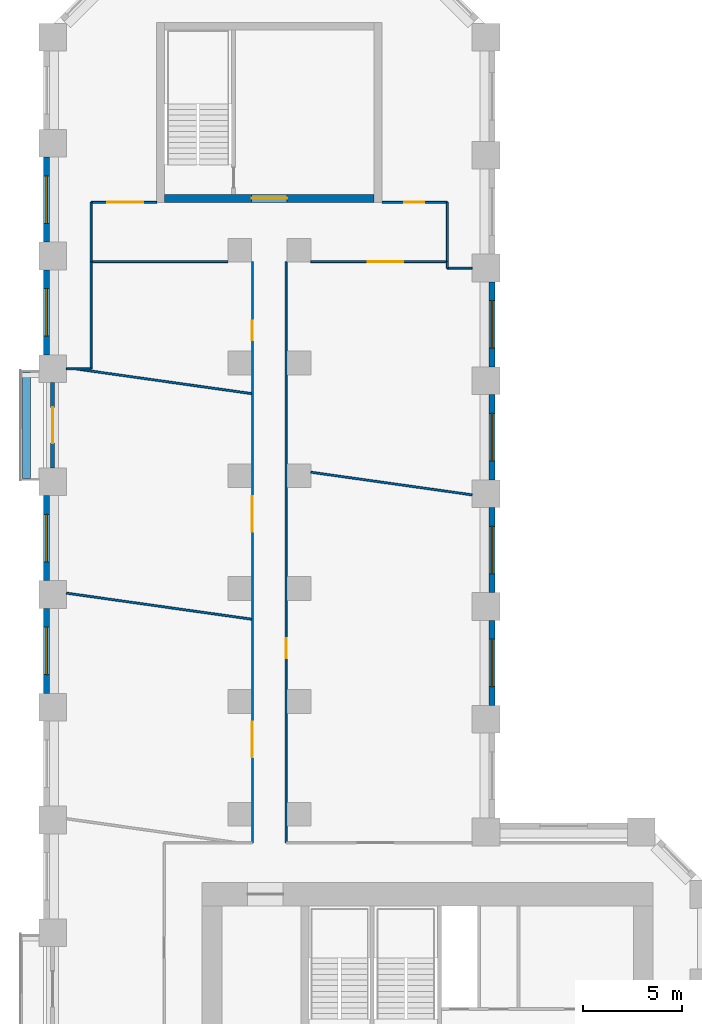
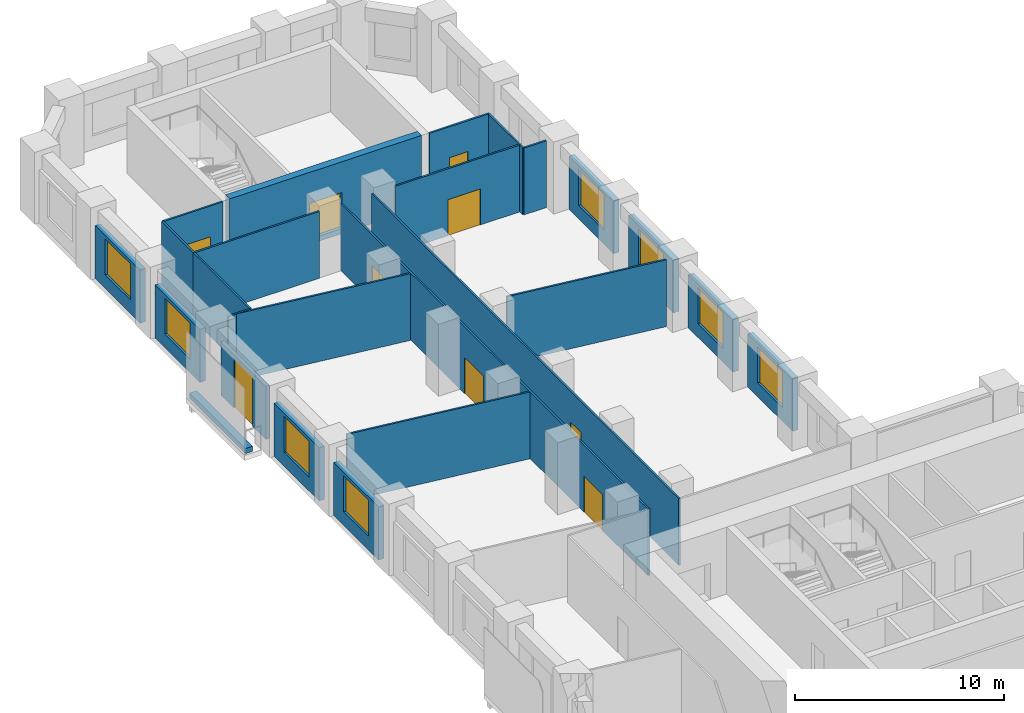
# One storey, part 8 of 11: 26 walls, 9 doors, 8 windows, 17 openings.
"""IFC4 building model written with IfcOpenShell, lengths in metres."""

from ifc_helpers import new_model, si_unit, direction, frame, frame_2d, origin, place, context, subcontext, project, spatial, rectangle, extrude, material, layer, layer_set, type_object, element, fill, save


model = new_model("IFC4")

# Units and contexts
model_context = context("Model", 3, precision=1e-05, world=origin(), true_north=direction((0.0, 1.0)))
body_context = subcontext(model_context, "Body", "Model", "MODEL_VIEW")
ifc_project = project(units=[si_unit("LENGTHUNIT", "METRE"), si_unit("AREAUNIT", "SQUARE_METRE"), si_unit("VOLUMEUNIT", "CUBIC_METRE"), si_unit("PLANEANGLEUNIT", "RADIAN"), si_unit("MASSUNIT", "GRAM", prefix="KILO")], contexts=[model_context])

# Site, building, storey
site_placement = place(None, origin())
site = spatial("IfcSite", under=ifc_project, at=site_placement, CompositionType="ELEMENT")
building_placement = place(site_placement, origin())
building = spatial("IfcBuilding", under=site, at=building_placement, Name="Meshkara Civic Tower", CompositionType="ELEMENT")
storey_placement = place(building_placement, frame((0.0, 0.0, 70.800048828125)))
storey = spatial("IfcBuildingStorey", under=building, at=storey_placement, Name="L15", CompositionType="ELEMENT", Elevation=70.800048828125)

# Walls
ifc_material_1 = material(Name="Corridor wall 100")
ifc_layer_1 = layer(ifc_material_1, 0.10009765625)
ifc_layer_set_1 = layer_set([ifc_layer_1], Name="Corridor wall 100")
wall_type_1 = type_object("IfcWallType", Name="Corridor wall 100", PredefinedType="PARTITIONING", material=ifc_layer_set_1)
wall_1_placement = place(storey_placement, frame((2.39990234375, 68.27001953125, 0.0), z_axis=(0.0, 0.0, 1.0), x_axis=(1.0, 0.0, 0.0)))
element("IfcWall", 1, at=wall_1_placement, inside=storey, type_object=wall_type_1, Name="L15-W001", PredefinedType="PARTITIONING", context=body_context, shape_type="SweptSolid", body=[
    extrude(rectangle(XDim=6.900146484375, YDim=0.10009765625, at=frame_2d((3.4501953125, 0.0))), origin(), (0.0, 0.0, 1.0), 3.89990234375),
])
wall_2_placement = place(storey_placement, frame((2.39990234375, 71.27001953125, 0.0), z_axis=(0.0, 0.0, 1.0), x_axis=(0.0, -1.0, 0.0)))
element("IfcWall", 2, at=wall_2_placement, inside=storey, type_object=wall_type_1, Name="L15-W002", PredefinedType="PARTITIONING", context=body_context, shape_type="SweptSolid", body=[
    extrude(rectangle(XDim=3.0, YDim=0.10009765625, at=frame_2d((1.5, 0.0))), origin(), (0.0, 0.0, 1.0), 3.89990234375),
])

# Wall, opening, door
wall_3_placement = place(storey_placement, frame((5.699951171875, 71.27001953125, 0.0), z_axis=(0.0, 0.0, 1.0), x_axis=(-1.0, 0.0, 0.0)))
wall_3 = element("IfcWall", 3, at=wall_3_placement, inside=storey, type_object=wall_type_1, Name="L15-W003", PredefinedType="PARTITIONING", context=body_context, shape_type="SweptSolid", body=[
    extrude(rectangle(XDim=3.300048828125, YDim=0.10009765625, at=frame_2d((1.64990234375, 0.0))), origin(), (0.0, 0.0, 1.0), 3.89990234375),
])
opening_1_placement = place(wall_3_placement, frame((0.679931640625, 0.0, 0.0)))
opening_1 = element("IfcOpeningElement", 4, at=opening_1_placement, cuts=wall_3, Name="Opening L15-D025", PredefinedType="OPENING", context=body_context, shape_type="SweptSolid", body=[
    extrude(rectangle(XDim=1.800048828125, YDim=2.10009765625, at=frame_2d((0.89990234375, 1.050048828125))), frame((0.0, 0.06005859375, 0.0), z_axis=(0.0, -1.0, 0.0), x_axis=(1.0, 0.0, 0.0)), (0.0, 0.0, 1.0), 0.1201171875),
])
ifc_material_2 = material(Name="Door pair 1800 x 2100")
door_type_1 = type_object("IfcDoorType", Name="Door pair 1800 x 2100", OperationType="SINGLE_SWING_LEFT", PredefinedType="DOOR", material=ifc_material_2)
door_1_placement = place(opening_1_placement, origin())
door_1 = element("IfcDoor", 5, at=door_1_placement, inside=storey, type_object=door_type_1, Name="L15-D025", OperationType="DOUBLE_DOOR_SINGLE_SWING", OverallHeight=2.10009765625, OverallWidth=1.800048828125, PredefinedType="DOOR", context=body_context, shape_type="SweptSolid", body=[
    extrude(rectangle(XDim=1.800048828125, YDim=2.10009765625, at=frame_2d((0.89990234375, 1.050048828125))), frame((0.0, 0.02490234375, 0.0), z_axis=(0.0, -1.0, 0.0), x_axis=(1.0, 0.0, 0.0)), (0.0, 0.0, 1.0), 0.050048828125),
])
fill(opening_1, door_1)

# Wall, openings, doors
wall_4_placement = place(storey_placement, frame((10.550048828125, 68.27001953125, 0.0), z_axis=(0.0, 0.0, 1.0), x_axis=(0.0, -1.0, 0.0)))
wall_4 = element("IfcWall", 6, at=wall_4_placement, inside=storey, type_object=wall_type_1, Name="L15-W012", PredefinedType="PARTITIONING", context=body_context, shape_type="SweptSolid", body=[
    extrude(rectangle(XDim=29.3701171875, YDim=0.10009765625, at=frame_2d((14.68505859375, 0.0))), origin(), (0.0, 0.0, 1.0), 3.89990234375),
])
opening_2_placement = place(wall_4_placement, frame((23.2451171875, 0.0, 0.0)))
opening_2 = element("IfcOpeningElement", 7, at=opening_2_placement, cuts=wall_4, Name="Opening L15-D021", PredefinedType="OPENING", context=body_context, shape_type="SweptSolid", body=[
    extrude(rectangle(XDim=1.800048828125, YDim=2.10009765625, at=frame_2d((0.89990234375, 1.050048828125))), frame((0.0, 0.06005859375, 0.0), z_axis=(0.0, -1.0, 0.0), x_axis=(1.0, 0.0, 0.0)), (0.0, 0.0, 1.0), 0.1201171875),
])
opening_3_placement = place(wall_4_placement, frame((11.844970703125, 0.0, 0.0)))
opening_3 = element("IfcOpeningElement", 8, at=opening_3_placement, cuts=wall_4, Name="Opening L15-D023", PredefinedType="OPENING", context=body_context, shape_type="SweptSolid", body=[
    extrude(rectangle(XDim=1.800048828125, YDim=2.10009765625, at=frame_2d((0.89990234375, 1.050048828125))), frame((0.0, 0.06005859375, 0.0), z_axis=(0.0, -1.0, 0.0), x_axis=(1.0, 0.0, 0.0)), (0.0, 0.0, 1.0), 0.1201171875),
])
opening_4_placement = place(wall_4_placement, frame((2.97998046875, 0.0, 0.0)))
opening_4 = element("IfcOpeningElement", 9, at=opening_4_placement, cuts=wall_4, Name="Opening L15-D024", PredefinedType="OPENING", context=body_context, shape_type="SweptSolid", body=[
    extrude(rectangle(XDim=1.0, YDim=2.10009765625, at=frame_2d((0.5, 1.050048828125))), frame((0.0, 0.06005859375, 0.0), z_axis=(0.0, -1.0, 0.0), x_axis=(1.0, 0.0, 0.0)), (0.0, 0.0, 1.0), 0.1201171875),
])
ifc_material_3 = material(Name="Door 1000 x 2100")
door_type_2 = type_object("IfcDoorType", Name="Door 1000 x 2100", OperationType="SINGLE_SWING_LEFT", PredefinedType="DOOR", material=ifc_material_3)
door_2_placement = place(opening_4_placement, origin())
door_2 = element("IfcDoor", 10, at=door_2_placement, inside=storey, type_object=door_type_2, Name="L15-D024", OperationType="SINGLE_SWING_LEFT", OverallHeight=2.10009765625, OverallWidth=1.0, PredefinedType="DOOR", context=body_context, shape_type="SweptSolid", body=[
    extrude(rectangle(XDim=1.0, YDim=2.10009765625, at=frame_2d((0.5, 1.050048828125))), frame((0.0, 0.02490234375, 0.0), z_axis=(0.0, -1.0, 0.0), x_axis=(1.0, 0.0, 0.0)), (0.0, 0.0, 1.0), 0.050048828125),
])
fill(opening_4, door_2)
door_3_placement = place(opening_2_placement, origin())
door_3 = element("IfcDoor", 11, at=door_3_placement, inside=storey, type_object=door_type_1, Name="L15-D021", OperationType="DOUBLE_DOOR_SINGLE_SWING", OverallHeight=2.10009765625, OverallWidth=1.800048828125, PredefinedType="DOOR", context=body_context, shape_type="SweptSolid", body=[
    extrude(rectangle(XDim=1.800048828125, YDim=2.10009765625, at=frame_2d((0.89990234375, 1.050048828125))), frame((0.0, 0.02490234375, 0.0), z_axis=(0.0, -1.0, 0.0), x_axis=(1.0, 0.0, 0.0)), (0.0, 0.0, 1.0), 0.050048828125),
])
fill(opening_2, door_3)
door_4_placement = place(opening_3_placement, origin())
door_4 = element("IfcDoor", 12, at=door_4_placement, inside=storey, type_object=door_type_1, Name="L15-D023", OperationType="DOUBLE_DOOR_SINGLE_SWING", OverallHeight=2.10009765625, OverallWidth=1.800048828125, PredefinedType="DOOR", context=body_context, shape_type="SweptSolid", body=[
    extrude(rectangle(XDim=1.800048828125, YDim=2.10009765625, at=frame_2d((0.89990234375, 1.050048828125))), frame((0.0, 0.02490234375, 0.0), z_axis=(0.0, -1.0, 0.0), x_axis=(1.0, 0.0, 0.0)), (0.0, 0.0, 1.0), 0.050048828125),
])
fill(opening_3, door_4)

# Wall, opening, door
wall_5_placement = place(storey_placement, frame((12.25, 68.27001953125, 0.0), z_axis=(0.0, 0.0, 1.0), x_axis=(0.0, -1.0, 0.0)))
wall_5 = element("IfcWall", 13, at=wall_5_placement, inside=storey, type_object=wall_type_1, Name="L15-W013", PredefinedType="PARTITIONING", context=body_context, shape_type="SweptSolid", body=[
    extrude(rectangle(XDim=29.3701171875, YDim=0.10009765625, at=frame_2d((14.68505859375, 0.0))), origin(), (0.0, 0.0, 1.0), 3.89990234375),
])
opening_5_placement = place(wall_5_placement, frame((19.0419921875, 0.0, 0.0)))
opening_5 = element("IfcOpeningElement", 14, at=opening_5_placement, cuts=wall_5, Name="Opening L15-D022", PredefinedType="OPENING", context=body_context, shape_type="SweptSolid", body=[
    extrude(rectangle(XDim=1.0, YDim=2.10009765625, at=frame_2d((0.5, 1.050048828125))), frame((0.0, 0.06005859375, 0.0), z_axis=(0.0, -1.0, 0.0), x_axis=(1.0, 0.0, 0.0)), (0.0, 0.0, 1.0), 0.1201171875),
])
door_5_placement = place(opening_5_placement, origin())
door_5 = element("IfcDoor", 15, at=door_5_placement, inside=storey, type_object=door_type_2, Name="L15-D022", OperationType="SINGLE_SWING_LEFT", OverallHeight=2.10009765625, OverallWidth=1.0, PredefinedType="DOOR", context=body_context, shape_type="SweptSolid", body=[
    extrude(rectangle(XDim=1.0, YDim=2.10009765625, at=frame_2d((0.5, 1.050048828125))), frame((0.0, 0.02490234375, 0.0), z_axis=(0.0, -1.0, 0.0), x_axis=(1.0, 0.0, 0.0)), (0.0, 0.0, 1.0), 0.050048828125),
])
fill(opening_5, door_5)

wall_6_placement = place(storey_placement, frame((13.5, 68.27001953125, 0.0), z_axis=(0.0, 0.0, 1.0), x_axis=(1.0, 0.0, 0.0)))
wall_6 = element("IfcWall", 16, at=wall_6_placement, inside=storey, type_object=wall_type_1, Name="L15-W015", PredefinedType="PARTITIONING", context=body_context, shape_type="SweptSolid", body=[
    extrude(rectangle(XDim=6.89990234375, YDim=0.10009765625, at=frame_2d((3.449951171875, 0.0))), origin(), (0.0, 0.0, 1.0), 3.89990234375),
])
opening_6_placement = place(wall_6_placement, frame((2.8798828125, 0.0, 0.0)))
opening_6 = element("IfcOpeningElement", 17, at=opening_6_placement, cuts=wall_6, Name="Opening L15-D026", PredefinedType="OPENING", context=body_context, shape_type="SweptSolid", body=[
    extrude(rectangle(XDim=1.800048828125, YDim=2.10009765625, at=frame_2d((0.89990234375, 1.050048828125))), frame((0.0, 0.06005859375, 0.0), z_axis=(0.0, -1.0, 0.0), x_axis=(1.0, 0.0, 0.0)), (0.0, 0.0, 1.0), 0.1201171875),
])
door_6_placement = place(opening_6_placement, origin())
door_6 = element("IfcDoor", 18, at=door_6_placement, inside=storey, type_object=door_type_1, Name="L15-D026", OperationType="DOUBLE_DOOR_SINGLE_SWING", OverallHeight=2.10009765625, OverallWidth=1.800048828125, PredefinedType="DOOR", context=body_context, shape_type="SweptSolid", body=[
    extrude(rectangle(XDim=1.800048828125, YDim=2.10009765625, at=frame_2d((0.89990234375, 1.050048828125))), frame((0.0, 0.02490234375, 0.0), z_axis=(0.0, -1.0, 0.0), x_axis=(1.0, 0.0, 0.0)), (0.0, 0.0, 1.0), 0.050048828125),
])
fill(opening_6, door_6)

# Wall
wall_7_placement = place(storey_placement, frame((20.39990234375, 68.27001953125, 0.0), z_axis=(0.0, 0.0, 1.0), x_axis=(0.0, 1.0, 0.0)))
element("IfcWall", 19, at=wall_7_placement, inside=storey, type_object=wall_type_1, Name="L15-W016", PredefinedType="PARTITIONING", context=body_context, shape_type="SweptSolid", body=[
    extrude(rectangle(XDim=3.0, YDim=0.10009765625, at=frame_2d((1.5, 0.0))), origin(), (0.0, 0.0, 1.0), 3.89990234375),
])

# Wall, opening, door
wall_8_placement = place(storey_placement, frame((20.39990234375, 71.27001953125, 0.0), z_axis=(0.0, 0.0, 1.0), x_axis=(-1.0, 0.0, 0.0)))
wall_8 = element("IfcWall", 20, at=wall_8_placement, inside=storey, type_object=wall_type_1, Name="L15-W017", PredefinedType="PARTITIONING", context=body_context, shape_type="SweptSolid", body=[
    extrude(rectangle(XDim=3.2998046875, YDim=0.10009765625, at=frame_2d((1.64990234375, 0.0))), origin(), (0.0, 0.0, 1.0), 3.89990234375),
])
opening_7_placement = place(wall_8_placement, frame((1.179931640625, 0.0, 0.0)))
opening_7 = element("IfcOpeningElement", 21, at=opening_7_placement, cuts=wall_8, Name="Opening L15-D027", PredefinedType="OPENING", context=body_context, shape_type="SweptSolid", body=[
    extrude(rectangle(XDim=1.0, YDim=2.10009765625, at=frame_2d((0.5, 1.050048828125))), frame((0.0, 0.06005859375, 0.0), z_axis=(0.0, -1.0, 0.0), x_axis=(1.0, 0.0, 0.0)), (0.0, 0.0, 1.0), 0.1201171875),
])
door_7_placement = place(opening_7_placement, origin())
door_7 = element("IfcDoor", 22, at=door_7_placement, inside=storey, type_object=door_type_2, Name="L15-D027", OperationType="SINGLE_SWING_LEFT", OverallHeight=2.10009765625, OverallWidth=1.0, PredefinedType="DOOR", context=body_context, shape_type="SweptSolid", body=[
    extrude(rectangle(XDim=1.0, YDim=2.10009765625, at=frame_2d((0.5, 1.050048828125))), frame((0.0, 0.02490234375, 0.0), z_axis=(0.0, -1.0, 0.0), x_axis=(1.0, 0.0, 0.0)), (0.0, 0.0, 1.0), 0.050048828125),
])
fill(opening_7, door_7)

# Wall, opening, window
ifc_material_4 = material(Name="Insulated infill panel with bronze anodised aluminium cladding", Category="aluminium")
ifc_layer_2 = layer(ifc_material_4, 0.300048828125)
ifc_layer_set_2 = layer_set([ifc_layer_2], Name="EXTERNAL INFILL WALL 300")
wall_type_2 = type_object("IfcWallType", Name="EXTERNAL INFILL WALL 300", PredefinedType="SOLIDWALL", material=ifc_layer_set_2)
wall_9_placement = place(storey_placement, frame((22.64990234375, 45.85009765625, 0.0), z_axis=(0.0, 0.0, 1.0), x_axis=(0.0, 1.0, 0.0)))
wall_9 = element("IfcWall", 23, at=wall_9_placement, inside=storey, type_object=wall_type_2, Name="External wall", PredefinedType="SOLIDWALL", context=body_context, shape_type="SweptSolid", body=[
    extrude(rectangle(XDim=4.2998046875, YDim=0.300048828125, at=frame_2d((2.14990234375, 0.0))), origin(), (0.0, 0.0, 1.0), 3.099853515625),
])
opening_8_placement = place(wall_9_placement, frame((0.949951171875, 0.0, 0.800048828125)))
opening_8 = element("IfcOpeningElement", 24, at=opening_8_placement, cuts=wall_9, Name="Opening W7", PredefinedType="OPENING", context=body_context, shape_type="SweptSolid", body=[
    extrude(rectangle(XDim=2.39990234375, YDim=2.10009765625, at=frame_2d((1.199951171875, 1.050048828125))), frame((0.0, 0.159912109375, 0.0), z_axis=(0.0, -1.0, 0.0), x_axis=(1.0, 0.0, 0.0)), (0.0, 0.0, 1.0), 0.320068359375),
])
ifc_material_5 = material(Name="Tinted double glazing", Category="glass")
window_type = type_object("IfcWindowType", Name="WINDOW 2400x2100", PartitioningType="DOUBLE_PANEL_VERTICAL", PredefinedType="WINDOW", material=ifc_material_5)
window_1_placement = place(opening_8_placement, origin())
window_1 = element("IfcWindow", 25, at=window_1_placement, inside=storey, type_object=window_type, Name="Window", OverallHeight=2.10009765625, OverallWidth=2.39990234375, PartitioningType="DOUBLE_PANEL_VERTICAL", PredefinedType="WINDOW", context=body_context, shape_type="SweptSolid", body=[
    extrude(rectangle(XDim=2.39990234375, YDim=2.10009765625, at=frame_2d((1.199951171875, 1.050048828125))), frame((0.0, 0.030029296875, 0.0), z_axis=(0.0, -1.0, 0.0), x_axis=(1.0, 0.0, 0.0)), (0.0, 0.0, 1.0), 0.06005859375),
])
fill(opening_8, window_1)

wall_10_placement = place(storey_placement, frame((22.64990234375, 51.550048828125, 0.0), z_axis=(0.0, 0.0, 1.0), x_axis=(0.0, 1.0, 0.0)))
wall_10 = element("IfcWall", 26, at=wall_10_placement, inside=storey, type_object=wall_type_2, Name="External wall", PredefinedType="SOLIDWALL", context=body_context, shape_type="SweptSolid", body=[
    extrude(rectangle(XDim=4.300048828125, YDim=0.300048828125, at=frame_2d((2.14990234375, 0.0))), origin(), (0.0, 0.0, 1.0), 3.099853515625),
])
opening_9_placement = place(wall_10_placement, frame((0.949951171875, 0.0, 0.800048828125)))
opening_9 = element("IfcOpeningElement", 27, at=opening_9_placement, cuts=wall_10, Name="Opening W7", PredefinedType="OPENING", context=body_context, shape_type="SweptSolid", body=[
    extrude(rectangle(XDim=2.39990234375, YDim=2.10009765625, at=frame_2d((1.199951171875, 1.050048828125))), frame((0.0, 0.159912109375, 0.0), z_axis=(0.0, -1.0, 0.0), x_axis=(1.0, 0.0, 0.0)), (0.0, 0.0, 1.0), 0.320068359375),
])
window_2_placement = place(opening_9_placement, origin())
window_2 = element("IfcWindow", 28, at=window_2_placement, inside=storey, type_object=window_type, Name="Window", OverallHeight=2.10009765625, OverallWidth=2.39990234375, PartitioningType="DOUBLE_PANEL_VERTICAL", PredefinedType="WINDOW", context=body_context, shape_type="SweptSolid", body=[
    extrude(rectangle(XDim=2.39990234375, YDim=2.10009765625, at=frame_2d((1.199951171875, 1.050048828125))), frame((0.0, 0.030029296875, 0.0), z_axis=(0.0, -1.0, 0.0), x_axis=(1.0, 0.0, 0.0)), (0.0, 0.0, 1.0), 0.06005859375),
])
fill(opening_9, window_2)

wall_11_placement = place(storey_placement, frame((22.64990234375, 57.25, 0.0), z_axis=(0.0, 0.0, 1.0), x_axis=(0.0, 1.0, 0.0)))
wall_11 = element("IfcWall", 29, at=wall_11_placement, inside=storey, type_object=wall_type_2, Name="External wall", PredefinedType="SOLIDWALL", context=body_context, shape_type="SweptSolid", body=[
    extrude(rectangle(XDim=4.300048828125, YDim=0.300048828125, at=frame_2d((2.14990234375, 0.0))), origin(), (0.0, 0.0, 1.0), 3.099853515625),
])
opening_10_placement = place(wall_11_placement, frame((0.949951171875, 0.0, 0.800048828125)))
opening_10 = element("IfcOpeningElement", 30, at=opening_10_placement, cuts=wall_11, Name="Opening W7", PredefinedType="OPENING", context=body_context, shape_type="SweptSolid", body=[
    extrude(rectangle(XDim=2.39990234375, YDim=2.10009765625, at=frame_2d((1.199951171875, 1.050048828125))), frame((0.0, 0.159912109375, 0.0), z_axis=(0.0, -1.0, 0.0), x_axis=(1.0, 0.0, 0.0)), (0.0, 0.0, 1.0), 0.320068359375),
])
window_3_placement = place(opening_10_placement, origin())
window_3 = element("IfcWindow", 31, at=window_3_placement, inside=storey, type_object=window_type, Name="Window", OverallHeight=2.10009765625, OverallWidth=2.39990234375, PartitioningType="DOUBLE_PANEL_VERTICAL", PredefinedType="WINDOW", context=body_context, shape_type="SweptSolid", body=[
    extrude(rectangle(XDim=2.39990234375, YDim=2.10009765625, at=frame_2d((1.199951171875, 1.050048828125))), frame((0.0, 0.030029296875, 0.0), z_axis=(0.0, -1.0, 0.0), x_axis=(1.0, 0.0, 0.0)), (0.0, 0.0, 1.0), 0.06005859375),
])
fill(opening_10, window_3)

wall_12_placement = place(storey_placement, frame((22.64990234375, 62.949951171875, 0.0), z_axis=(0.0, 0.0, 1.0), x_axis=(0.0, 1.0, 0.0)))
wall_12 = element("IfcWall", 32, at=wall_12_placement, inside=storey, type_object=wall_type_2, Name="External wall", PredefinedType="SOLIDWALL", context=body_context, shape_type="SweptSolid", body=[
    extrude(rectangle(XDim=4.300048828125, YDim=0.300048828125, at=frame_2d((2.14990234375, 0.0))), origin(), (0.0, 0.0, 1.0), 3.099853515625),
])
opening_11_placement = place(wall_12_placement, frame((0.949951171875, 0.0, 0.800048828125)))
opening_11 = element("IfcOpeningElement", 33, at=opening_11_placement, cuts=wall_12, Name="Opening W7", PredefinedType="OPENING", context=body_context, shape_type="SweptSolid", body=[
    extrude(rectangle(XDim=2.39990234375, YDim=2.10009765625, at=frame_2d((1.199951171875, 1.050048828125))), frame((0.0, 0.159912109375, 0.0), z_axis=(0.0, -1.0, 0.0), x_axis=(1.0, 0.0, 0.0)), (0.0, 0.0, 1.0), 0.320068359375),
])
window_4_placement = place(opening_11_placement, origin())
window_4 = element("IfcWindow", 34, at=window_4_placement, inside=storey, type_object=window_type, Name="Window", OverallHeight=2.10009765625, OverallWidth=2.39990234375, PartitioningType="DOUBLE_PANEL_VERTICAL", PredefinedType="WINDOW", context=body_context, shape_type="SweptSolid", body=[
    extrude(rectangle(XDim=2.39990234375, YDim=2.10009765625, at=frame_2d((1.199951171875, 1.050048828125))), frame((0.0, 0.030029296875, 0.0), z_axis=(0.0, -1.0, 0.0), x_axis=(1.0, 0.0, 0.0)), (0.0, 0.0, 1.0), 0.06005859375),
])
fill(opening_11, window_4)

wall_13_placement = place(storey_placement, frame((0.14990234375, 73.554931640625, 0.0), z_axis=(0.0, 0.0, 1.0), x_axis=(0.0, -1.0, 0.0)))
wall_13 = element("IfcWall", 35, at=wall_13_placement, inside=storey, type_object=wall_type_2, Name="External wall", PredefinedType="SOLIDWALL", context=body_context, shape_type="SweptSolid", body=[
    extrude(rectangle(XDim=4.300048828125, YDim=0.300048828125, at=frame_2d((2.14990234375, 0.0))), origin(), (0.0, 0.0, 1.0), 3.099853515625),
])
opening_12_placement = place(wall_13_placement, frame((0.949951171875, 0.0, 0.800048828125)))
opening_12 = element("IfcOpeningElement", 36, at=opening_12_placement, cuts=wall_13, Name="Opening W7", PredefinedType="OPENING", context=body_context, shape_type="SweptSolid", body=[
    extrude(rectangle(XDim=2.39990234375, YDim=2.10009765625, at=frame_2d((1.199951171875, 1.050048828125))), frame((0.0, 0.159912109375, 0.0), z_axis=(0.0, -1.0, 0.0), x_axis=(1.0, 0.0, 0.0)), (0.0, 0.0, 1.0), 0.320068359375),
])
window_5_placement = place(opening_12_placement, origin())
window_5 = element("IfcWindow", 37, at=window_5_placement, inside=storey, type_object=window_type, Name="Window", OverallHeight=2.10009765625, OverallWidth=2.39990234375, PartitioningType="DOUBLE_PANEL_VERTICAL", PredefinedType="WINDOW", context=body_context, shape_type="SweptSolid", body=[
    extrude(rectangle(XDim=2.39990234375, YDim=2.10009765625, at=frame_2d((1.199951171875, 1.050048828125))), frame((0.0, 0.030029296875, 0.0), z_axis=(0.0, -1.0, 0.0), x_axis=(1.0, 0.0, 0.0)), (0.0, 0.0, 1.0), 0.06005859375),
])
fill(opening_12, window_5)

wall_14_placement = place(storey_placement, frame((0.14990234375, 67.85498046875, 0.0), z_axis=(0.0, 0.0, 1.0), x_axis=(0.0, -1.0, 0.0)))
wall_14 = element("IfcWall", 38, at=wall_14_placement, inside=storey, type_object=wall_type_2, Name="External wall", PredefinedType="SOLIDWALL", context=body_context, shape_type="SweptSolid", body=[
    extrude(rectangle(XDim=4.300048828125, YDim=0.300048828125, at=frame_2d((2.14990234375, 0.0))), origin(), (0.0, 0.0, 1.0), 3.099853515625),
])
opening_13_placement = place(wall_14_placement, frame((0.949951171875, 0.0, 0.800048828125)))
opening_13 = element("IfcOpeningElement", 39, at=opening_13_placement, cuts=wall_14, Name="Opening W7", PredefinedType="OPENING", context=body_context, shape_type="SweptSolid", body=[
    extrude(rectangle(XDim=2.39990234375, YDim=2.10009765625, at=frame_2d((1.199951171875, 1.050048828125))), frame((0.0, 0.159912109375, 0.0), z_axis=(0.0, -1.0, 0.0), x_axis=(1.0, 0.0, 0.0)), (0.0, 0.0, 1.0), 0.320068359375),
])
window_6_placement = place(opening_13_placement, origin())
window_6 = element("IfcWindow", 40, at=window_6_placement, inside=storey, type_object=window_type, Name="Window", OverallHeight=2.10009765625, OverallWidth=2.39990234375, PartitioningType="DOUBLE_PANEL_VERTICAL", PredefinedType="WINDOW", context=body_context, shape_type="SweptSolid", body=[
    extrude(rectangle(XDim=2.39990234375, YDim=2.10009765625, at=frame_2d((1.199951171875, 1.050048828125))), frame((0.0, 0.030029296875, 0.0), z_axis=(0.0, -1.0, 0.0), x_axis=(1.0, 0.0, 0.0)), (0.0, 0.0, 1.0), 0.06005859375),
])
fill(opening_13, window_6)

wall_15_placement = place(storey_placement, frame((0.14990234375, 56.455078125, 0.0), z_axis=(0.0, 0.0, 1.0), x_axis=(0.0, -1.0, 0.0)))
wall_15 = element("IfcWall", 41, at=wall_15_placement, inside=storey, type_object=wall_type_2, Name="External wall", PredefinedType="SOLIDWALL", context=body_context, shape_type="SweptSolid", body=[
    extrude(rectangle(XDim=4.300048828125, YDim=0.300048828125, at=frame_2d((2.14990234375, 0.0))), origin(), (0.0, 0.0, 1.0), 3.099853515625),
])
opening_14_placement = place(wall_15_placement, frame((0.949951171875, 0.0, 0.800048828125)))
opening_14 = element("IfcOpeningElement", 42, at=opening_14_placement, cuts=wall_15, Name="Opening W7", PredefinedType="OPENING", context=body_context, shape_type="SweptSolid", body=[
    extrude(rectangle(XDim=2.39990234375, YDim=2.10009765625, at=frame_2d((1.199951171875, 1.050048828125))), frame((0.0, 0.159912109375, 0.0), z_axis=(0.0, -1.0, 0.0), x_axis=(1.0, 0.0, 0.0)), (0.0, 0.0, 1.0), 0.320068359375),
])
window_7_placement = place(opening_14_placement, origin())
window_7 = element("IfcWindow", 43, at=window_7_placement, inside=storey, type_object=window_type, Name="Window", OverallHeight=2.10009765625, OverallWidth=2.39990234375, PartitioningType="DOUBLE_PANEL_VERTICAL", PredefinedType="WINDOW", context=body_context, shape_type="SweptSolid", body=[
    extrude(rectangle(XDim=2.39990234375, YDim=2.10009765625, at=frame_2d((1.199951171875, 1.050048828125))), frame((0.0, 0.030029296875, 0.0), z_axis=(0.0, -1.0, 0.0), x_axis=(1.0, 0.0, 0.0)), (0.0, 0.0, 1.0), 0.06005859375),
])
fill(opening_14, window_7)

wall_16_placement = place(storey_placement, frame((0.14990234375, 50.7548828125, 0.0), z_axis=(0.0, 0.0, 1.0), x_axis=(0.0, -1.0, 0.0)))
wall_16 = element("IfcWall", 44, at=wall_16_placement, inside=storey, type_object=wall_type_2, Name="External wall", PredefinedType="SOLIDWALL", context=body_context, shape_type="SweptSolid", body=[
    extrude(rectangle(XDim=4.2998046875, YDim=0.300048828125, at=frame_2d((2.14990234375, 0.0))), origin(), (0.0, 0.0, 1.0), 3.099853515625),
])
opening_15_placement = place(wall_16_placement, frame((0.949951171875, 0.0, 0.800048828125)))
opening_15 = element("IfcOpeningElement", 45, at=opening_15_placement, cuts=wall_16, Name="Opening W7", PredefinedType="OPENING", context=body_context, shape_type="SweptSolid", body=[
    extrude(rectangle(XDim=2.39990234375, YDim=2.10009765625, at=frame_2d((1.199951171875, 1.050048828125))), frame((0.0, 0.159912109375, 0.0), z_axis=(0.0, -1.0, 0.0), x_axis=(1.0, 0.0, 0.0)), (0.0, 0.0, 1.0), 0.320068359375),
])
window_8_placement = place(opening_15_placement, origin())
window_8 = element("IfcWindow", 46, at=window_8_placement, inside=storey, type_object=window_type, Name="Window", OverallHeight=2.10009765625, OverallWidth=2.39990234375, PartitioningType="DOUBLE_PANEL_VERTICAL", PredefinedType="WINDOW", context=body_context, shape_type="SweptSolid", body=[
    extrude(rectangle(XDim=2.39990234375, YDim=2.10009765625, at=frame_2d((1.199951171875, 1.050048828125))), frame((0.0, 0.030029296875, 0.0), z_axis=(0.0, -1.0, 0.0), x_axis=(1.0, 0.0, 0.0)), (0.0, 0.0, 1.0), 0.06005859375),
])
fill(opening_15, window_8)

# Wall, opening, door
ifc_material_6 = material(Name="Concrete C80", Category="concrete")
ifc_layer_3 = layer(ifc_material_6, 0.39990234375)
ifc_layer_set_3 = layer_set([ifc_layer_3], Name="End core ring wall 400 C80")
wall_type_3 = type_object("IfcWallType", Name="End core ring wall 400 C80", PredefinedType="SHEAR", material=ifc_layer_set_3)
wall_17_placement = place(storey_placement, frame((6.10009765625, 71.469970703125, -0.300048828125), z_axis=(0.0, 0.0, 1.0), x_axis=(1.0, 0.0, 0.0)))
wall_17 = element("IfcWall", 47, at=wall_17_placement, inside=storey, type_object=wall_type_3, Name="L15-C028", PredefinedType="SHEAR", context=body_context, shape_type="SweptSolid", body=[
    extrude(rectangle(XDim=10.599853515625, YDim=0.39990234375, at=frame_2d((5.2998046875, 0.0))), origin(), (0.0, 0.0, 1.0), 4.199951171875),
])
opening_16_placement = place(wall_17_placement, frame((4.39990234375, 0.0, 0.300048828125)))
opening_16 = element("IfcOpeningElement", 48, at=opening_16_placement, cuts=wall_17, Name="Opening L15-K102", PredefinedType="OPENING", context=body_context, shape_type="SweptSolid", body=[
    extrude(rectangle(XDim=1.800048828125, YDim=2.10009765625, at=frame_2d((0.89990234375, 1.050048828125))), frame((0.0, 0.2099609375, 0.0), z_axis=(0.0, -1.0, 0.0), x_axis=(1.0, 0.0, 0.0)), (0.0, 0.0, 1.0), 0.419921875),
])
ifc_material_7 = material(Name="Fire-rated door leaf in steel frame", Category="steel")
door_type_3 = type_object("IfcDoorType", Name="Core double door 1800 EI 60", OperationType="DOUBLE_DOOR_SINGLE_SWING", PredefinedType="DOOR", material=ifc_material_7)
door_8_placement = place(opening_16_placement, origin())
door_8 = element("IfcDoor", 49, at=door_8_placement, inside=storey, type_object=door_type_3, Name="L15-K102", OperationType="DOUBLE_DOOR_SINGLE_SWING", OverallHeight=2.10009765625, OverallWidth=1.800048828125, PredefinedType="DOOR", context=body_context, shape_type="SweptSolid", body=[
    extrude(rectangle(XDim=1.800048828125, YDim=2.10009765625, at=frame_2d((0.89990234375, 1.050048828125))), frame((0.0, 0.02490234375, 0.0), z_axis=(0.0, -1.0, 0.0), x_axis=(1.0, 0.0, 0.0)), (0.0, 0.0, 1.0), 0.050048828125),
])
fill(opening_16, door_8)

ifc_material_8 = material(Name="Insulated infill panel with bronze anodised aluminium cladding", Category="aluminium")
ifc_layer_4 = layer(ifc_material_8, 0.199951171875)
ifc_layer_set_4 = layer_set([ifc_layer_4], Name="LOGGIA BACK WALL 200")
wall_type_4 = type_object("IfcWallType", Name="LOGGIA BACK WALL 200", PredefinedType="SOLIDWALL", material=ifc_layer_set_4)
wall_18_placement = place(storey_placement, frame((0.449951171875, 62.154052734375, 0.0), z_axis=(0.0, 0.0, 1.0), x_axis=(0.0, -1.0, 0.0)))
wall_18 = element("IfcWall", 50, at=wall_18_placement, inside=storey, type_object=wall_type_4, Name="Loggia wall", PredefinedType="SOLIDWALL", context=body_context, shape_type="SweptSolid", body=[
    extrude(rectangle(XDim=4.299072265625, YDim=0.199951171875, at=frame_2d((2.1494140625, 0.0))), origin(), (0.0, 0.0, 1.0), 3.099853515625),
])
opening_17_placement = place(wall_18_placement, frame((1.25, 0.0, 0.0)))
opening_17 = element("IfcOpeningElement", 51, at=opening_17_placement, cuts=wall_18, Name="Opening L15-L001", PredefinedType="OPENING", context=body_context, shape_type="SweptSolid", body=[
    extrude(rectangle(XDim=1.800048828125, YDim=2.89990234375, at=frame_2d((0.89990234375, 1.449951171875))), frame((0.0, 0.10986328125, 0.0), z_axis=(0.0, -1.0, 0.0), x_axis=(1.0, 0.0, 0.0)), (0.0, 0.0, 1.0), 0.219970703125),
])
ifc_material_9 = material(Name="Tinted double glazing", Category="glass")
door_type_4 = type_object("IfcDoorType", Name="LOGGIA DOOR 1800x2900", OperationType="DOUBLE_DOOR_SINGLE_SWING", PredefinedType="DOOR", material=ifc_material_9)
door_9_placement = place(opening_17_placement, origin())
door_9 = element("IfcDoor", 52, at=door_9_placement, inside=storey, type_object=door_type_4, Name="L15-L001", OperationType="DOUBLE_DOOR_SINGLE_SWING", OverallHeight=2.89990234375, OverallWidth=1.800048828125, PredefinedType="DOOR", context=body_context, shape_type="SweptSolid", body=[
    extrude(rectangle(XDim=1.800048828125, YDim=2.89990234375, at=frame_2d((0.89990234375, 1.449951171875))), frame((0.0, 0.02490234375, 0.0), z_axis=(0.0, -1.0, 0.0), x_axis=(1.0, 0.0, 0.0)), (0.0, 0.0, 1.0), 0.050048828125),
])
fill(opening_17, door_9)

# Walls
ifc_material_10 = material(Name="Concrete C40", Category="concrete")
ifc_layer_5 = layer(ifc_material_10, 0.39990234375)
ifc_layer_set_5 = layer_set([ifc_layer_5], Name="PLANTER TRAY")
wall_type_5 = type_object("IfcWallType", Name="PLANTER TRAY", PredefinedType="SOLIDWALL", material=ifc_layer_set_5)
wall_19_placement = place(storey_placement, frame((-0.8798828125, 62.68505859375, 0.0), z_axis=(0.0, 0.0, 1.0), x_axis=(0.0, -1.0, 0.0)))
element("IfcWall", 53, at=wall_19_placement, inside=storey, type_object=wall_type_5, Name="Planter", PredefinedType="SOLIDWALL", context=body_context, shape_type="SweptSolid", body=[
    extrude(rectangle(XDim=5.360107421875, YDim=0.39990234375, at=frame_2d((2.68017578125, 0.0))), origin(), (0.0, 0.0, 1.0), 0.300048828125),
])
ifc_material_11 = material(Name="Partition 100")
ifc_layer_6 = layer(ifc_material_11, 0.10009765625)
ifc_layer_set_6 = layer_set([ifc_layer_6], Name="Partition 100")
wall_type_6 = type_object("IfcWallType", Name="Partition 100", PredefinedType="PARTITIONING", material=ifc_layer_set_6)
wall_20_placement = place(storey_placement, frame((1.14990234375, 62.85498046875, 0.0), z_axis=(0.0, 0.0, 1.0), x_axis=(1.0, 0.0, 0.0)))
element("IfcWall", 54, at=wall_20_placement, inside=storey, type_object=wall_type_6, Name="L15-W033", PredefinedType="PARTITIONING", context=body_context, shape_type="SweptSolid", body=[
    extrude(rectangle(XDim=1.25, YDim=0.10009765625, at=frame_2d((0.625, 0.0))), origin(), (0.0, 0.0, 1.0), 3.89990234375),
])
wall_21_placement = place(storey_placement, frame((2.39990234375, 62.85498046875, 0.0), z_axis=(0.0, 0.0, 1.0), x_axis=(0.0, 1.0, 0.0)))
element("IfcWall", 55, at=wall_21_placement, inside=storey, type_object=wall_type_6, Name="L15-W034", PredefinedType="PARTITIONING", context=body_context, shape_type="SweptSolid", body=[
    extrude(rectangle(XDim=5.4189453125, YDim=0.10009765625, at=frame_2d((2.70947265625, 0.0))), origin(), (0.0, 0.0, 1.0), 3.89990234375),
])
wall_22_placement = place(storey_placement, frame((10.492919921875, 50.205078125, 0.0), z_axis=(0.0, 0.0, 1.0), x_axis=(-0.990255073415, 0.139265536207, 0.0)))
element("IfcWall", 56, at=wall_22_placement, inside=storey, type_object=wall_type_6, Name="L15-W040", PredefinedType="PARTITIONING", context=body_context, shape_type="SweptSolid", body=[
    extrude(rectangle(XDim=9.43505859375, YDim=0.10009765625, at=frame_2d((4.717529296875, 0.0))), origin(), (0.0, 0.0, 1.0), 3.89990234375),
])
wall_23_placement = place(storey_placement, frame((10.492919921875, 61.60498046875, 0.0), z_axis=(0.0, 0.0, 1.0), x_axis=(-0.990260855441, 0.139224416615, 0.0)))
element("IfcWall", 57, at=wall_23_placement, inside=storey, type_object=wall_type_6, Name="L15-W041", PredefinedType="PARTITIONING", context=body_context, shape_type="SweptSolid", body=[
    extrude(rectangle(XDim=8.978271484375, YDim=0.10009765625, at=frame_2d((4.4892578125, 0.0))), origin(), (0.0, 0.0, 1.0), 3.89990234375),
])
wall_24_placement = place(storey_placement, frame((20.39990234375, 67.949951171875, 0.0), z_axis=(0.0, 0.0, 1.0), x_axis=(0.0, 1.0, 0.0)))
element("IfcWall", 58, at=wall_24_placement, inside=storey, type_object=wall_type_6, Name="L15-W042", PredefinedType="PARTITIONING", context=body_context, shape_type="SweptSolid", body=[
    extrude(rectangle(XDim=0.323974609375, YDim=0.10009765625, at=frame_2d((0.162109375, 0.0))), origin(), (0.0, 0.0, 1.0), 3.89990234375),
])
wall_25_placement = place(storey_placement, frame((21.64990234375, 56.486083984375, 0.0), z_axis=(0.0, 0.0, 1.0), x_axis=(-0.990257984954, 0.139244831987, 0.0)))
element("IfcWall", 59, at=wall_25_placement, inside=storey, type_object=wall_type_6, Name="L15-W043", PredefinedType="PARTITIONING", context=body_context, shape_type="SweptSolid", body=[
    extrude(rectangle(XDim=8.22998046875, YDim=0.10009765625, at=frame_2d((4.114990234375, 0.0))), origin(), (0.0, 0.0, 1.0), 3.89990234375),
])
wall_26_placement = place(storey_placement, frame((21.64990234375, 67.949951171875, 0.0), z_axis=(0.0, 0.0, 1.0), x_axis=(-1.0, 0.0, 0.0)))
element("IfcWall", 60, at=wall_26_placement, inside=storey, type_object=wall_type_6, Name="L15-W044", PredefinedType="PARTITIONING", context=body_context, shape_type="SweptSolid", body=[
    extrude(rectangle(XDim=1.25, YDim=0.10009765625, at=frame_2d((0.625, 0.0))), origin(), (0.0, 0.0, 1.0), 3.89990234375),
])

save(model, "model.ifc")
